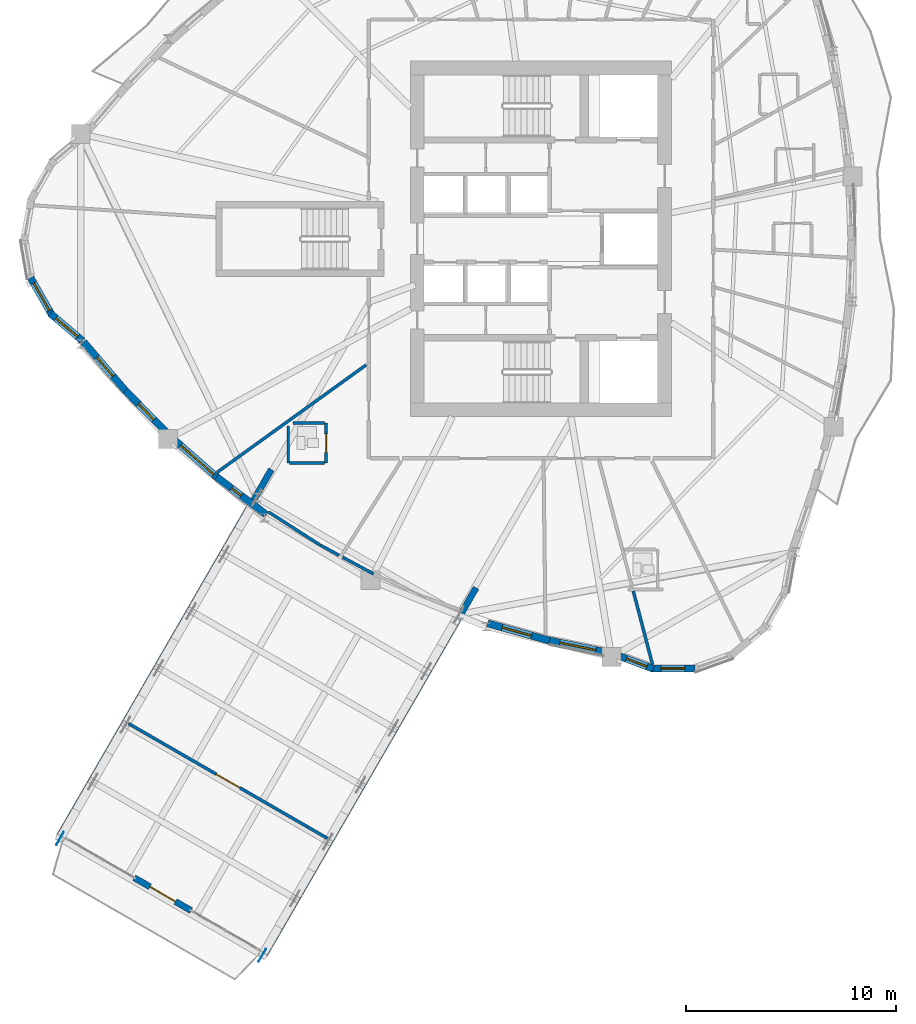
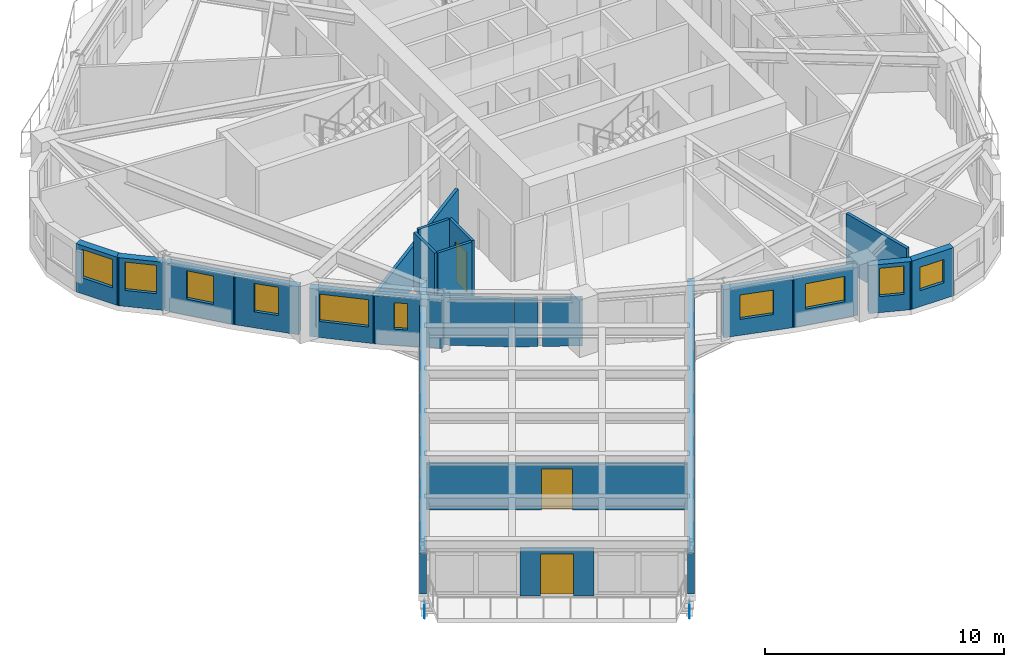
# One storey, part 5 of 17: 23 walls, 10 windows, 3 doors, 2 plates, 13 openings.
"""IFC4 building model written with IfcOpenShell, lengths in metres."""

from ifc_helpers import new_model, si_unit, direction, frame, frame_2d, origin, origin_2d, place, context, subcontext, project, spatial, rectangle, extrude, source, transform, mapped, material, layer, layer_set, type_object, element, fill, save


model = new_model("IFC4")

# Units and contexts
model_context = context("Model", 3, precision=1e-05, world=origin(), true_north=direction((0.0, 1.0)))
body_context = subcontext(model_context, "Body", "Model", "MODEL_VIEW")
ifc_project = project(units=[si_unit("LENGTHUNIT", "METRE"), si_unit("AREAUNIT", "SQUARE_METRE"), si_unit("VOLUMEUNIT", "CUBIC_METRE"), si_unit("PLANEANGLEUNIT", "RADIAN"), si_unit("MASSUNIT", "GRAM", prefix="KILO")], contexts=[model_context])

# Site, building, storey
site_placement = place(None, origin())
site = spatial("IfcSite", under=ifc_project, at=site_placement, CompositionType="ELEMENT")
building_placement = place(site_placement, origin())
building = spatial("IfcBuilding", under=site, at=building_placement, Name="Qafzar Sky-Pleat Residences", CompositionType="ELEMENT")
storey_placement = place(building_placement, frame((0.0, 0.0, 108.800048828125)))
storey = spatial("IfcBuildingStorey", under=building, at=storey_placement, Name="L32", CompositionType="ELEMENT", Elevation=108.800048828125)

# Plates
ifc_material_1 = material(Name="Steel S355", Category="steel")
ifc_layer_1 = layer(ifc_material_1, 0.030029296875)
ifc_layer_set_1 = layer_set([ifc_layer_1], Name="Steel S355")
plate_type = type_object("IfcPlateType", Name="PLT-NODE-SBN2", PredefinedType="SHEET", material=ifc_layer_set_1)
shared_shape_1 = source(origin(), body_context, "Body", "SweptSolid", [
    extrude(rectangle(XDim=0.699951171875, YDim=0.030029296875, at=origin_2d()), origin(), (0.0, 0.0, 1.0), 0.52001953125),
])
for number, where, z_axis, x_axis, name in (
    (1, (17.101318359375, -8.047607421875, -0.925048828125), (0.0, 0.0, 1.0), (-0.5, -0.866025403784, 0.0), "SB-3 Truss Node Plate L6"),
    (2, (7.48828125, -2.49755859375, -0.925048828125), (0.0, 0.0, 1.0), (-0.5, -0.866025403784, 0.0), "SB-3 Truss Node Plate R6"),
):
    element("IfcPlate", number, at=place(storey_placement, frame(where, z_axis=z_axis, x_axis=x_axis)), inside=storey, type_object=plate_type, Name=name, PredefinedType="SHEET", context=body_context, shape_type="MappedRepresentation", body=[
        mapped(shared_shape_1, transform((0.0, 0.0, 0.0), x_axis=(1.0, 0.0, 0.0), y_axis=(0.0, 1.0, 0.0), z_axis=(0.0, 0.0, 1.0), scale=1.0)),
    ])

# Wall, opening, door
ifc_material_2 = material(Name="Acoustic gypsum plasterboard partition", Category="gypsum")
ifc_layer_2 = layer(ifc_material_2, 0.14501953125)
ifc_layer_set_2 = layer_set([ifc_layer_2], Name="Acoustic gypsum plasterboard partition")
wall_type_1 = type_object("IfcWallType", Name="PART-UNIT-145", PredefinedType="PARTITIONING", material=ifc_layer_set_2)
wall_1_placement = place(storey_placement, frame((20.2060546875, -2.493896484375, 0.0), z_axis=(0.0, 0.0, 1.0), x_axis=(-0.866034115916, 0.499984909842, 0.0)))
wall_1 = element("IfcWall", 3, at=wall_1_placement, inside=storey, type_object=wall_type_1, Name="L32 Partition Wall PART-L32-PW-001", PredefinedType="PARTITIONING", context=body_context, shape_type="SweptSolid", body=[
    extrude(rectangle(XDim=10.924072265625, YDim=0.14501953125, at=frame_2d((5.4619140625, 0.0))), origin(), (0.0, 0.0, 1.0), 2.35302734375),
])
opening_1_placement = place(wall_1_placement, frame((4.812255859375, 0.0, 0.0)))
opening_1 = element("IfcOpeningElement", 4, at=opening_1_placement, cuts=wall_1, Name="Opening ID-05", PredefinedType="OPENING", context=body_context, shape_type="SweptSolid", body=[
    extrude(rectangle(XDim=1.300048828125, YDim=2.10009765625, at=frame_2d((0.64990234375, 1.050048828125))), frame((0.0, 0.08251953125, 0.0), z_axis=(0.0, -1.0, 0.0), x_axis=(1.0, 0.0, 0.0)), (0.0, 0.0, 1.0), 0.1650390625),
])
ifc_material_3 = material(Name="Timber-faced fire door", Category="wood")
door_type_1 = type_object("IfcDoorType", Name="DR-LNG-1300", OperationType="DOUBLE_DOOR_SINGLE_SWING", PredefinedType="DOOR", material=ifc_material_3)
shared_shape_2 = source(origin(), body_context, "Body", "SweptSolid", [
    extrude(rectangle(XDim=1.300048828125, YDim=2.10009765625, at=frame_2d((0.64990234375, 1.050048828125))), frame((0.0, 0.02490234375, 0.0), z_axis=(0.0, -1.0, 0.0), x_axis=(1.0, 0.0, 0.0)), (0.0, 0.0, 1.0), 0.050048828125),
])
door_1_placement = place(opening_1_placement, origin())
door_1 = element("IfcDoor", 5, at=door_1_placement, inside=storey, type_object=door_type_1, Name="L32 Panorama Sky Lounge Door", OperationType="DOUBLE_DOOR_SINGLE_SWING", OverallHeight=2.10009765625, OverallWidth=1.300048828125, PredefinedType="DOOR", context=body_context, shape_type="MappedRepresentation", body=[
    mapped(shared_shape_2, transform((0.0, 0.0, 0.0), x_axis=(1.0, 0.0, 0.0), y_axis=(0.0, 1.0, 0.0), z_axis=(0.0, 0.0, 1.0), scale=1.0)),
])
fill(opening_1, door_1)

# Walls
wall_2_placement = place(storey_placement, frame((14.96630859375, 14.915283203125, 0.0), z_axis=(0.0, 0.0, 1.0), x_axis=(0.811310715309, 0.584615192434, 0.0)))
element("IfcWall", 6, at=wall_2_placement, inside=storey, type_object=wall_type_1, Name="L32 Partition Wall PART-L32-PW-036", PredefinedType="PARTITIONING", context=body_context, shape_type="SweptSolid", body=[
    extrude(rectangle(XDim=8.72021484375, YDim=0.14501953125, at=frame_2d((4.360107421875, 0.0))), origin(), (0.0, 0.0, 1.0), 2.10302734375),
])
wall_3_placement = place(storey_placement, frame((34.73681640625, 9.263916015625, 0.0), z_axis=(0.0, 0.0, 1.0), x_axis=(0.253650405993, -0.967295958608, 0.0)))
element("IfcWall", 7, at=wall_3_placement, inside=storey, type_object=wall_type_1, Name="L32 Partition Wall PART-L32-PW-046", PredefinedType="PARTITIONING", context=body_context, shape_type="SweptSolid", body=[
    extrude(rectangle(XDim=3.607421875, YDim=0.14501953125, at=frame_2d((1.8037109375, 0.0))), origin(), (0.0, 0.0, 1.0), 2.93505859375),
])
wall_4_placement = place(storey_placement, frame((17.39794921875, 13.02392578125, 0.0), z_axis=(0.0, 0.0, 1.0), x_axis=(0.841590343852, -0.540116369994, 0.0)))
element("IfcWall", 8, at=wall_4_placement, inside=storey, type_object=wall_type_1, Name="L32 Partition Wall PART-L32-PW-052", PredefinedType="PARTITIONING", context=body_context, shape_type="SweptSolid", body=[
    extrude(rectangle(XDim=2.906494140625, YDim=0.14501953125, at=frame_2d((1.453125, 0.0))), origin(), (0.0, 0.0, 1.0), 2.452880859375),
])
wall_5_placement = place(storey_placement, frame((20.92041015625, 10.873291015625, 0.0), z_axis=(0.0, 0.0, 1.0), x_axis=(0.879929881444, -0.475103571595, 0.0)))
element("IfcWall", 9, at=wall_5_placement, inside=storey, type_object=wall_type_1, Name="L32 Partition Wall PART-L32-PW-064", PredefinedType="PARTITIONING", context=body_context, shape_type="SweptSolid", body=[
    extrude(rectangle(XDim=1.66748046875, YDim=0.14501953125, at=frame_2d((0.833740234375, 0.0))), origin(), (0.0, 0.0, 1.0), 2.452880859375),
])
wall_6_placement = place(storey_placement, frame((19.857177734375, 11.447021484375, 0.0), z_axis=(0.0, 0.0, 1.0), x_axis=(0.8800411893, -0.474897362738, 0.0)))
element("IfcWall", 10, at=wall_6_placement, inside=storey, type_object=wall_type_1, Name="L32 Partition Wall PART-L32-PW-086", PredefinedType="PARTITIONING", context=body_context, shape_type="SweptSolid", body=[
    extrude(rectangle(XDim=1.02197265625, YDim=0.14501953125, at=frame_2d((0.510986328125, 0.0))), origin(), (0.0, 0.0, 1.0), 2.452880859375),
])

# Wall, opening, door
ifc_material_4 = material(Name="Moisture-resistant gypsum partition", Category="gypsum")
ifc_layer_3 = layer(ifc_material_4, 0.1298828125)
ifc_layer_set_3 = layer_set([ifc_layer_3], Name="Moisture-resistant gypsum partition")
wall_type_2 = type_object("IfcWallType", Name="PART-WET-130", PredefinedType="PARTITIONING", material=ifc_layer_set_3)
wall_7_placement = place(storey_placement, frame((20.133056640625, 15.35107421875, 0.0), z_axis=(0.0, 0.0, 1.0), x_axis=(0.0, 1.0, 0.0)))
wall_7 = element("IfcWall", 11, at=wall_7_placement, inside=storey, type_object=wall_type_2, Name="L32 Partition Wall PART-L32-PW-020", PredefinedType="PARTITIONING", context=body_context, shape_type="SweptSolid", body=[
    extrude(rectangle(XDim=1.89990234375, YDim=0.1298828125, at=frame_2d((0.949951171875, 0.0))), origin(), (0.0, 0.0, 1.0), 2.93505859375),
])
opening_2_placement = place(wall_7_placement, frame((0.510009765625, 0.0, 0.0)))
opening_2 = element("IfcOpeningElement", 12, at=opening_2_placement, cuts=wall_7, Name="Opening ID-07", PredefinedType="OPENING", context=body_context, shape_type="SweptSolid", body=[
    extrude(rectangle(XDim=0.8798828125, YDim=2.050048828125, at=frame_2d((0.43994140625, 1.02490234375))), frame((0.0, 0.074951171875, 0.0), z_axis=(0.0, -1.0, 0.0), x_axis=(1.0, 0.0, 0.0)), (0.0, 0.0, 1.0), 0.14990234375),
])
door_type_2 = type_object("IfcDoorType", Name="DR-WET-880", OperationType="NOTDEFINED", PredefinedType="DOOR", material=ifc_material_3)
shared_shape_3 = source(origin(), body_context, "Body", "SweptSolid", [
    extrude(rectangle(XDim=0.8798828125, YDim=2.050048828125, at=frame_2d((0.43994140625, 1.02490234375))), frame((0.0, 0.02490234375, 0.0), z_axis=(0.0, -1.0, 0.0), x_axis=(1.0, 0.0, 0.0)), (0.0, 0.0, 1.0), 0.050048828125),
])
door_2_placement = place(opening_2_placement, origin())
door_2 = element("IfcDoor", 13, at=door_2_placement, inside=storey, type_object=door_type_2, Name="L32 En-suite Bathroom 7 Door", OperationType="SINGLE_SWING_LEFT", OverallHeight=2.050048828125, OverallWidth=0.8798828125, PredefinedType="DOOR", context=body_context, shape_type="MappedRepresentation", body=[
    mapped(shared_shape_3, transform((0.0, 0.0, 0.0), x_axis=(1.0, 0.0, 0.0), y_axis=(0.0, 1.0, 0.0), z_axis=(0.0, 0.0, 1.0), scale=1.0)),
])
fill(opening_2, door_2)

# Walls
wall_8_placement = place(storey_placement, frame((18.3330078125, 15.35107421875, 0.0), z_axis=(0.0, 0.0, 1.0), x_axis=(0.0, 1.0, 0.0)))
element("IfcWall", 14, at=wall_8_placement, inside=storey, type_object=wall_type_2, Name="L32 Partition Wall PART-L32-PW-056", PredefinedType="PARTITIONING", context=body_context, shape_type="SweptSolid", body=[
    extrude(rectangle(XDim=1.755615234375, YDim=0.1298828125, at=frame_2d((0.8779296875, 0.0))), origin(), (0.0, 0.0, 1.0), 2.93505859375),
])
wall_9_placement = place(storey_placement, frame((18.55517578125, 17.2509765625, 0.0), z_axis=(0.0, 0.0, 1.0), x_axis=(1.0, 0.0, 0.0)))
element("IfcWall", 15, at=wall_9_placement, inside=storey, type_object=wall_type_2, Name="L32 Partition Wall PART-L32-PW-059", PredefinedType="PARTITIONING", context=body_context, shape_type="SweptSolid", body=[
    extrude(rectangle(XDim=1.5048828125, YDim=0.1298828125, at=frame_2d((0.75244140625, 0.0))), origin(), (0.0, 0.0, 1.0), 2.93505859375),
])
wall_10_placement = place(storey_placement, frame((18.406005859375, 15.35107421875, 0.0), z_axis=(0.0, 0.0, 1.0), x_axis=(1.0, 0.0, 0.0)))
element("IfcWall", 16, at=wall_10_placement, inside=storey, type_object=wall_type_2, Name="L32 Partition Wall PART-L32-PW-060", PredefinedType="PARTITIONING", context=body_context, shape_type="SweptSolid", body=[
    extrude(rectangle(XDim=1.654052734375, YDim=0.1298828125, at=frame_2d((0.8271484375, 0.0))), origin(), (0.0, 0.0, 1.0), 2.93505859375),
])
ifc_material_5 = material(Name="Precast concrete C40/50 with honed Riyadh limestone", Category="concrete")
ifc_layer_4 = layer(ifc_material_5, 0.300048828125)
ifc_layer_set_4 = layer_set([ifc_layer_4], Name="Precast concrete C40/50 with honed Riyadh limestone")
wall_type_3 = type_object("IfcWallType", Name="WALL-EXT-300", PredefinedType="SOLIDWALL", material=ifc_layer_set_4)
wall_11_placement = place(storey_placement, frame((27.26708984375, 9.420166015625, 0.0), z_axis=(0.0, 0.0, 1.0), x_axis=(-0.500001212782, -0.866024703583, 0.0)))
element("IfcWall", 17, at=wall_11_placement, inside=storey, type_object=wall_type_3, Name="L32 SB-3 Side Spandrel Wall L", PredefinedType="SOLIDWALL", context=body_context, shape_type="SweptSolid", body=[
    extrude(rectangle(XDim=20.09033203125, YDim=0.300048828125, at=frame_2d((10.045166015625, 0.0))), origin(), (0.0, 0.0, 1.0), 2.114990234375),
])
wall_12_placement = place(storey_placement, frame((17.532958984375, 15.040283203125, 0.0), z_axis=(0.0, 0.0, 1.0), x_axis=(-0.499995950774, -0.866027741594, 0.0)))
element("IfcWall", 18, at=wall_12_placement, inside=storey, type_object=wall_type_3, Name="L32 SB-3 Side Spandrel Wall R", PredefinedType="SOLIDWALL", context=body_context, shape_type="SweptSolid", body=[
    extrude(rectangle(XDim=20.090576171875, YDim=0.300048828125, at=frame_2d((10.04541015625, 0.0))), origin(), (0.0, 0.0, 1.0), 2.114990234375),
])

# Wall, opening, door
wall_13_placement = place(storey_placement, frame((13.720703125, -5.922607421875, 0.0), z_axis=(0.0, 0.0, 1.0), x_axis=(-0.866009661879, 0.500027264788, 0.0)))
wall_13 = element("IfcWall", 19, at=wall_13_placement, inside=storey, type_object=wall_type_3, Name="L32 SB-3 Prow Portal Wall", PredefinedType="SOLIDWALL", context=body_context, shape_type="SweptSolid", body=[
    extrude(rectangle(XDim=3.119873046875, YDim=0.300048828125, at=frame_2d((1.56005859375, 0.0))), origin(), (0.0, 0.0, 1.0), 2.300048828125),
])
opening_3_placement = place(wall_13_placement, frame((0.860107421875, 0.0, 0.0)))
opening_3 = element("IfcOpeningElement", 20, at=opening_3_placement, cuts=wall_13, Name="Opening ED-07", PredefinedType="OPENING", context=body_context, shape_type="SweptSolid", body=[
    extrude(rectangle(XDim=1.39990234375, YDim=2.14990234375, at=frame_2d((0.699951171875, 1.074951171875))), frame((0.0, 0.16015625, 0.0), z_axis=(0.0, -1.0, 0.0), x_axis=(1.0, 0.0, 0.0)), (0.0, 0.0, 1.0), 0.320068359375),
])
ifc_material_6 = material(Name="Glazed bronze aluminium door", Category="aluminium")
door_type_3 = type_object("IfcDoorType", Name="DR-SB-1400", OperationType="DOUBLE_DOOR_SINGLE_SWING", PredefinedType="DOOR", material=ifc_material_6)
shared_shape_4 = source(origin(), body_context, "Body", "SweptSolid", [
    extrude(rectangle(XDim=1.39990234375, YDim=2.14990234375, at=frame_2d((0.699951171875, 1.074951171875))), frame((0.0, 0.02490234375, 0.0), z_axis=(0.0, -1.0, 0.0), x_axis=(1.0, 0.0, 0.0)), (0.0, 0.0, 1.0), 0.050048828125),
])
door_3_placement = place(opening_3_placement, origin())
door_3 = element("IfcDoor", 21, at=door_3_placement, inside=storey, type_object=door_type_3, Name="L32 SB-3 Tip Balcony Glazed Door", OperationType="DOUBLE_DOOR_SINGLE_SWING", OverallHeight=2.14990234375, OverallWidth=1.39990234375, PredefinedType="DOOR", context=body_context, shape_type="MappedRepresentation", body=[
    mapped(shared_shape_4, transform((0.0, 0.0, 0.0), x_axis=(1.0, 0.0, 0.0), y_axis=(0.0, 1.0, 0.0), z_axis=(0.0, 0.0, 1.0), scale=1.0)),
])
fill(opening_3, door_3)

# Wall, opening, window
ifc_layer_5 = layer(ifc_material_5, 0.340087890625)
ifc_layer_set_5 = layer_set([ifc_layer_5], Name="Precast concrete C40/50 with honed Riyadh limestone")
wall_type_4 = type_object("IfcWallType", Name="WALL-EXT-340", PredefinedType="SOLIDWALL", material=ifc_layer_set_5)
wall_14_placement = place(storey_placement, frame((6.09228515625, 24.150146484375, 0.0), z_axis=(0.0, 0.0, 1.0), x_axis=(0.496037473582, -0.868301114132, 0.0)))
wall_14 = element("IfcWall", 22, at=wall_14_placement, inside=storey, type_object=wall_type_4, Name="L32 Limestone Facade Wall 5", PredefinedType="SOLIDWALL", context=body_context, shape_type="SweptSolid", body=[
    extrude(rectangle(XDim=2.072998046875, YDim=0.340087890625, at=frame_2d((1.03662109375, 0.0))), origin(), (0.0, 0.0, 1.0), 2.46484375),
])
opening_4_placement = place(wall_14_placement, frame((0.28662109375, 0.0, 0.820068359375)))
opening_4 = element("IfcOpeningElement", 23, at=opening_4_placement, cuts=wall_14, Name="Opening WN-03", PredefinedType="OPENING", context=body_context, shape_type="SweptSolid", body=[
    extrude(rectangle(XDim=1.5, YDim=1.449951171875, at=frame_2d((0.75, 0.72509765625))), frame((0.0, 0.18017578125, 0.0), z_axis=(0.0, -1.0, 0.0), x_axis=(1.0, 0.0, 0.0)), (0.0, 0.0, 1.0), 0.360107421875),
])
ifc_material_7 = material(Name="Solar-control low-E glass in bronze aluminium frame", Category="glass")
window_type_1 = type_object("IfcWindowType", Name="WIN-03", PartitioningType="DOUBLE_PANEL_VERTICAL", PredefinedType="WINDOW", material=ifc_material_7)
shared_shape_5 = source(origin(), body_context, "Body", "SweptSolid", [
    extrude(rectangle(XDim=1.5, YDim=1.449951171875, at=frame_2d((0.75, 0.72509765625))), frame((0.0, 0.030029296875, 0.0), z_axis=(0.0, -1.0, 0.0), x_axis=(1.0, 0.0, 0.0)), (0.0, 0.0, 1.0), 0.06005859375),
])
window_1_placement = place(opening_4_placement, origin())
window_1 = element("IfcWindow", 24, at=window_1_placement, inside=storey, type_object=window_type_1, Name="L32 Punched Facade Window 05", OverallHeight=1.449951171875, OverallWidth=1.5, PartitioningType="SINGLE_PANEL", PredefinedType="WINDOW", context=body_context, shape_type="MappedRepresentation", body=[
    mapped(shared_shape_5, transform((0.0, 0.0, 0.0), x_axis=(1.0, 0.0, 0.0), y_axis=(0.0, 1.0, 0.0), z_axis=(0.0, 0.0, 1.0), scale=1.0)),
])
fill(opening_4, window_1)

wall_15_placement = place(storey_placement, frame((7.035400390625, 22.452880859375, 0.0), z_axis=(0.0, 0.0, 1.0), x_axis=(0.76114353683, -0.648583469063, 0.0)))
wall_15 = element("IfcWall", 25, at=wall_15_placement, inside=storey, type_object=wall_type_4, Name="L32 Limestone Facade Wall 6", PredefinedType="SOLIDWALL", context=body_context, shape_type="SweptSolid", body=[
    extrude(rectangle(XDim=2.014892578125, YDim=0.340087890625, at=frame_2d((1.00732421875, 0.0))), origin(), (0.0, 0.0, 1.0), 2.46484375),
])
opening_5_placement = place(wall_15_placement, frame((0.342529296875, 0.0, 0.820068359375)))
opening_5 = element("IfcOpeningElement", 26, at=opening_5_placement, cuts=wall_15, Name="Opening WN-04", PredefinedType="OPENING", context=body_context, shape_type="SweptSolid", body=[
    extrude(rectangle(XDim=1.35009765625, YDim=1.449951171875, at=frame_2d((0.675048828125, 0.72509765625))), frame((0.0, 0.18017578125, 0.0), z_axis=(0.0, -1.0, 0.0), x_axis=(1.0, 0.0, 0.0)), (0.0, 0.0, 1.0), 0.360107421875),
])
window_type_2 = type_object("IfcWindowType", Name="WIN-04", PartitioningType="SINGLE_PANEL", PredefinedType="WINDOW", material=ifc_material_7)
shared_shape_6 = source(origin(), body_context, "Body", "SweptSolid", [
    extrude(rectangle(XDim=1.35009765625, YDim=1.449951171875, at=frame_2d((0.675048828125, 0.72509765625))), frame((0.0, 0.030029296875, 0.0), z_axis=(0.0, -1.0, 0.0), x_axis=(1.0, 0.0, 0.0)), (0.0, 0.0, 1.0), 0.06005859375),
])
window_2_placement = place(opening_5_placement, origin())
window_2 = element("IfcWindow", 27, at=window_2_placement, inside=storey, type_object=window_type_2, Name="L32 Punched Facade Window 06", OverallHeight=1.449951171875, OverallWidth=1.35009765625, PartitioningType="SINGLE_PANEL", PredefinedType="WINDOW", context=body_context, shape_type="MappedRepresentation", body=[
    mapped(shared_shape_6, transform((0.0, 0.0, 0.0), x_axis=(1.0, 0.0, 0.0), y_axis=(0.0, 1.0, 0.0), z_axis=(0.0, 0.0, 1.0), scale=1.0)),
])
fill(opening_5, window_2)

wall_16_placement = place(storey_placement, frame((8.6162109375, 21.09912109375, 0.0), z_axis=(0.0, 0.0, 1.0), x_axis=(0.650713874475, -0.759323023203, 0.0)))
wall_16 = element("IfcWall", 28, at=wall_16_placement, inside=storey, type_object=wall_type_4, Name="L32 Limestone Facade Wall 7", PredefinedType="SOLIDWALL", context=body_context, shape_type="SweptSolid", body=[
    extrude(rectangle(XDim=3.11328125, YDim=0.340087890625, at=frame_2d((1.556640625, 0.0))), origin(), (0.0, 0.0, 1.0), 2.46484375),
])
opening_6_placement = place(wall_16_placement, frame((0.94677734375, 0.0, 0.820068359375)))
opening_6 = element("IfcOpeningElement", 29, at=opening_6_placement, cuts=wall_16, Name="Opening WN-05", PredefinedType="OPENING", context=body_context, shape_type="SweptSolid", body=[
    extrude(rectangle(XDim=1.199951171875, YDim=1.449951171875, at=frame_2d((0.60009765625, 0.72509765625))), frame((0.0, 0.18017578125, 0.0), z_axis=(0.0, -1.0, 0.0), x_axis=(1.0, 0.0, 0.0)), (0.0, 0.0, 1.0), 0.360107421875),
])
window_type_3 = type_object("IfcWindowType", Name="WIN-05", PartitioningType="SINGLE_PANEL", PredefinedType="WINDOW", material=ifc_material_7)
shared_shape_7 = source(origin(), body_context, "Body", "SweptSolid", [
    extrude(rectangle(XDim=1.199951171875, YDim=1.449951171875, at=frame_2d((0.60009765625, 0.72509765625))), frame((0.0, 0.030029296875, 0.0), z_axis=(0.0, -1.0, 0.0), x_axis=(1.0, 0.0, 0.0)), (0.0, 0.0, 1.0), 0.06005859375),
])
window_3_placement = place(opening_6_placement, origin())
window_3 = element("IfcWindow", 30, at=window_3_placement, inside=storey, type_object=window_type_3, Name="L32 Punched Facade Window 07", OverallHeight=1.449951171875, OverallWidth=1.199951171875, PartitioningType="SINGLE_PANEL", PredefinedType="WINDOW", context=body_context, shape_type="MappedRepresentation", body=[
    mapped(shared_shape_7, transform((0.0, 0.0, 0.0), x_axis=(1.0, 0.0, 0.0), y_axis=(0.0, 1.0, 0.0), z_axis=(0.0, 0.0, 1.0), scale=1.0)),
])
fill(opening_6, window_3)

wall_17_placement = place(storey_placement, frame((10.582763671875, 18.7998046875, 0.0), z_axis=(0.0, 0.0, 1.0), x_axis=(0.701884352283, -0.712290920917, 0.0)))
wall_17 = element("IfcWall", 31, at=wall_17_placement, inside=storey, type_object=wall_type_4, Name="L32 Limestone Facade Wall 8", PredefinedType="SOLIDWALL", context=body_context, shape_type="SweptSolid", body=[
    extrude(rectangle(XDim=2.838623046875, YDim=0.340087890625, at=frame_2d((1.41943359375, 0.0))), origin(), (0.0, 0.0, 1.0), 2.46484375),
])
opening_7_placement = place(wall_17_placement, frame((0.8994140625, 0.0, 0.820068359375)))
opening_7 = element("IfcOpeningElement", 32, at=opening_7_placement, cuts=wall_17, Name="Opening WN-06", PredefinedType="OPENING", context=body_context, shape_type="SweptSolid", body=[
    extrude(rectangle(XDim=1.050048828125, YDim=1.449951171875, at=frame_2d((0.52490234375, 0.72509765625))), frame((0.0, 0.18017578125, 0.0), z_axis=(0.0, -1.0, 0.0), x_axis=(1.0, 0.0, 0.0)), (0.0, 0.0, 1.0), 0.360107421875),
])
window_type_4 = type_object("IfcWindowType", Name="WIN-06", PartitioningType="SINGLE_PANEL", PredefinedType="WINDOW", material=ifc_material_7)
shared_shape_8 = source(origin(), body_context, "Body", "SweptSolid", [
    extrude(rectangle(XDim=1.050048828125, YDim=1.449951171875, at=frame_2d((0.52490234375, 0.72509765625))), frame((0.0, 0.030029296875, 0.0), z_axis=(0.0, -1.0, 0.0), x_axis=(1.0, 0.0, 0.0)), (0.0, 0.0, 1.0), 0.06005859375),
])
window_4_placement = place(opening_7_placement, origin())
window_4 = element("IfcWindow", 33, at=window_4_placement, inside=storey, type_object=window_type_4, Name="L32 Punched Facade Window 08", OverallHeight=1.449951171875, OverallWidth=1.050048828125, PartitioningType="SINGLE_PANEL", PredefinedType="WINDOW", context=body_context, shape_type="MappedRepresentation", body=[
    mapped(shared_shape_8, transform((0.0, 0.0, 0.0), x_axis=(1.0, 0.0, 0.0), y_axis=(0.0, 1.0, 0.0), z_axis=(0.0, 0.0, 1.0), scale=1.0)),
])
fill(opening_7, window_4)

wall_18_placement = place(storey_placement, frame((12.900634765625, 16.470703125, 0.0), z_axis=(0.0, 0.0, 1.0), x_axis=(0.751480442913, -0.659755366722, 0.0)))
wall_18 = element("IfcWall", 34, at=wall_18_placement, inside=storey, type_object=wall_type_4, Name="L32 Limestone Facade Wall 9", PredefinedType="SOLIDWALL", context=body_context, shape_type="SweptSolid", body=[
    extrude(rectangle(XDim=2.789306640625, YDim=0.340087890625, at=frame_2d((1.39453125, 0.0))), origin(), (0.0, 0.0, 1.0), 2.46484375),
])
opening_8_placement = place(wall_18_placement, frame((0.43017578125, 0.0, 0.820068359375)))
opening_8 = element("IfcOpeningElement", 35, at=opening_8_placement, cuts=wall_18, Name="Opening WN-07", PredefinedType="OPENING", context=body_context, shape_type="SweptSolid", body=[
    extrude(rectangle(XDim=2.10009765625, YDim=1.39990234375, at=frame_2d((1.050048828125, 0.699951171875))), frame((0.0, 0.18017578125, 0.0), z_axis=(0.0, -1.0, 0.0), x_axis=(1.0, 0.0, 0.0)), (0.0, 0.0, 1.0), 0.360107421875),
])
window_type_5 = type_object("IfcWindowType", Name="WIN-07", PartitioningType="DOUBLE_PANEL_VERTICAL", PredefinedType="WINDOW", material=ifc_material_7)
shared_shape_9 = source(origin(), body_context, "Body", "SweptSolid", [
    extrude(rectangle(XDim=2.10009765625, YDim=1.39990234375, at=frame_2d((1.050048828125, 0.699951171875))), frame((0.0, 0.030029296875, 0.0), z_axis=(0.0, -1.0, 0.0), x_axis=(1.0, 0.0, 0.0)), (0.0, 0.0, 1.0), 0.06005859375),
])
window_5_placement = place(opening_8_placement, origin())
window_5 = element("IfcWindow", 36, at=window_5_placement, inside=storey, type_object=window_type_5, Name="L32 Punched Facade Window 09", OverallHeight=1.39990234375, OverallWidth=2.10009765625, PartitioningType="SINGLE_PANEL", PredefinedType="WINDOW", context=body_context, shape_type="MappedRepresentation", body=[
    mapped(shared_shape_9, transform((0.0, 0.0, 0.0), x_axis=(1.0, 0.0, 0.0), y_axis=(0.0, 1.0, 0.0), z_axis=(0.0, 0.0, 1.0), scale=1.0)),
])
fill(opening_8, window_5)

wall_19_placement = place(storey_placement, frame((14.927978515625, 14.686279296875, 0.0), z_axis=(0.0, 0.0, 1.0), x_axis=(0.798387010211, -0.602144651995, 0.0)))
wall_19 = element("IfcWall", 37, at=wall_19_placement, inside=storey, type_object=wall_type_4, Name="L32 Limestone Facade Wall 10", PredefinedType="SOLIDWALL", context=body_context, shape_type="SweptSolid", body=[
    extrude(rectangle(XDim=2.9658203125, YDim=0.340087890625, at=frame_2d((1.48291015625, 0.0))), origin(), (0.0, 0.0, 1.0), 2.46484375),
])
opening_9_placement = place(wall_19_placement, frame((0.890869140625, 0.0, 0.820068359375)))
opening_9 = element("IfcOpeningElement", 38, at=opening_9_placement, cuts=wall_19, Name="Opening WN-17", PredefinedType="OPENING", context=body_context, shape_type="SweptSolid", body=[
    extrude(rectangle(XDim=0.580078125, YDim=1.35009765625, at=frame_2d((0.2900390625, 0.675048828125))), frame((0.0, 0.18017578125, 0.0), z_axis=(0.0, -1.0, 0.0), x_axis=(1.0, 0.0, 0.0)), (0.0, 0.0, 1.0), 0.360107421875),
])
window_type_6 = type_object("IfcWindowType", Name="WIN-17", PartitioningType="SINGLE_PANEL", PredefinedType="WINDOW", material=ifc_material_7)
shared_shape_10 = source(origin(), body_context, "Body", "SweptSolid", [
    extrude(rectangle(XDim=0.580078125, YDim=1.35009765625, at=frame_2d((0.2900390625, 0.675048828125))), frame((0.0, 0.030029296875, 0.0), z_axis=(0.0, -1.0, 0.0), x_axis=(1.0, 0.0, 0.0)), (0.0, 0.0, 1.0), 0.06005859375),
])
window_6_placement = place(opening_9_placement, origin())
window_6 = element("IfcWindow", 39, at=window_6_placement, inside=storey, type_object=window_type_6, Name="L32 Bedroom Casement Window BD-1", OverallHeight=1.35009765625, OverallWidth=0.580078125, PartitioningType="SINGLE_PANEL", PredefinedType="WINDOW", context=body_context, shape_type="MappedRepresentation", body=[
    mapped(shared_shape_10, transform((0.0, 0.0, 0.0), x_axis=(1.0, 0.0, 0.0), y_axis=(0.0, 1.0, 0.0), z_axis=(0.0, 0.0, 1.0), scale=1.0)),
])
fill(opening_9, window_6)

wall_20_placement = place(storey_placement, frame((27.81884765625, 7.727783203125, 0.0), z_axis=(0.0, 0.0, 1.0), x_axis=(0.963032186905, -0.269386352632, 0.0)))
wall_20 = element("IfcWall", 40, at=wall_20_placement, inside=storey, type_object=wall_type_4, Name="L32 Limestone Facade Wall 15", PredefinedType="SOLIDWALL", context=body_context, shape_type="SweptSolid", body=[
    extrude(rectangle(XDim=3.048828125, YDim=0.340087890625, at=frame_2d((1.5244140625, 0.0))), origin(), (0.0, 0.0, 1.0), 2.46484375),
])
opening_10_placement = place(wall_20_placement, frame((0.71044921875, 0.0, 0.820068359375)))
opening_10 = element("IfcOpeningElement", 41, at=opening_10_placement, cuts=wall_20, Name="Opening WN-15", PredefinedType="OPENING", context=body_context, shape_type="SweptSolid", body=[
    extrude(rectangle(XDim=1.449951171875, YDim=1.25, at=frame_2d((0.72509765625, 0.625))), frame((0.0, 0.18017578125, 0.0), z_axis=(0.0, -1.0, 0.0), x_axis=(1.0, 0.0, 0.0)), (0.0, 0.0, 1.0), 0.360107421875),
])
window_type_7 = type_object("IfcWindowType", Name="WIN-15", PartitioningType="SINGLE_PANEL", PredefinedType="WINDOW", material=ifc_material_7)
shared_shape_11 = source(origin(), body_context, "Body", "SweptSolid", [
    extrude(rectangle(XDim=1.449951171875, YDim=1.25, at=frame_2d((0.72509765625, 0.625))), frame((0.0, 0.030029296875, 0.0), z_axis=(0.0, -1.0, 0.0), x_axis=(1.0, 0.0, 0.0)), (0.0, 0.0, 1.0), 0.06005859375),
])
window_7_placement = place(opening_10_placement, origin())
window_7 = element("IfcWindow", 42, at=window_7_placement, inside=storey, type_object=window_type_7, Name="L32 Punched Facade Window 15", OverallHeight=1.25, OverallWidth=1.449951171875, PartitioningType="SINGLE_PANEL", PredefinedType="WINDOW", context=body_context, shape_type="MappedRepresentation", body=[
    mapped(shared_shape_11, transform((0.0, 0.0, 0.0), x_axis=(1.0, 0.0, 0.0), y_axis=(0.0, 1.0, 0.0), z_axis=(0.0, 0.0, 1.0), scale=1.0)),
])
fill(opening_10, window_7)

wall_21_placement = place(storey_placement, frame((30.669677734375, 6.92724609375, 0.0), z_axis=(0.0, 0.0, 1.0), x_axis=(0.979422345081, -0.201821381317, 0.0)))
wall_21 = element("IfcWall", 43, at=wall_21_placement, inside=storey, type_object=wall_type_4, Name="L32 Limestone Facade Wall 16", PredefinedType="SOLIDWALL", context=body_context, shape_type="SweptSolid", body=[
    extrude(rectangle(XDim=2.9033203125, YDim=0.340087890625, at=frame_2d((1.45166015625, 0.0))), origin(), (0.0, 0.0, 1.0), 2.46484375),
])
opening_11_placement = place(wall_21_placement, frame((0.581787109375, 0.0, 0.820068359375)))
opening_11 = element("IfcOpeningElement", 44, at=opening_11_placement, cuts=wall_21, Name="Opening WN-14", PredefinedType="OPENING", context=body_context, shape_type="SweptSolid", body=[
    extrude(rectangle(XDim=1.75, YDim=1.300048828125, at=frame_2d((0.875, 0.64990234375))), frame((0.0, 0.18017578125, 0.0), z_axis=(0.0, -1.0, 0.0), x_axis=(1.0, 0.0, 0.0)), (0.0, 0.0, 1.0), 0.360107421875),
])
window_type_8 = type_object("IfcWindowType", Name="WIN-14", PartitioningType="DOUBLE_PANEL_VERTICAL", PredefinedType="WINDOW", material=ifc_material_7)
shared_shape_12 = source(origin(), body_context, "Body", "SweptSolid", [
    extrude(rectangle(XDim=1.75, YDim=1.300048828125, at=frame_2d((0.875, 0.64990234375))), frame((0.0, 0.030029296875, 0.0), z_axis=(0.0, -1.0, 0.0), x_axis=(1.0, 0.0, 0.0)), (0.0, 0.0, 1.0), 0.06005859375),
])
window_8_placement = place(opening_11_placement, origin())
window_8 = element("IfcWindow", 45, at=window_8_placement, inside=storey, type_object=window_type_8, Name="L32 Punched Facade Window 16", OverallHeight=1.300048828125, OverallWidth=1.75, PartitioningType="SINGLE_PANEL", PredefinedType="WINDOW", context=body_context, shape_type="MappedRepresentation", body=[
    mapped(shared_shape_12, transform((0.0, 0.0, 0.0), x_axis=(1.0, 0.0, 0.0), y_axis=(0.0, 1.0, 0.0), z_axis=(0.0, 0.0, 1.0), scale=1.0)),
])
fill(opening_11, window_8)

wall_22_placement = place(storey_placement, frame((33.979248046875, 6.20703125, 0.0), z_axis=(0.0, 0.0, 1.0), x_axis=(0.936799566991, -0.349866504951, 0.0)))
wall_22 = element("IfcWall", 46, at=wall_22_placement, inside=storey, type_object=wall_type_4, Name="L32 Limestone Facade Wall 17", PredefinedType="SOLIDWALL", context=body_context, shape_type="SweptSolid", body=[
    extrude(rectangle(XDim=1.8310546875, YDim=0.340087890625, at=frame_2d((0.91552734375, 0.0))), origin(), (0.0, 0.0, 1.0), 2.46484375),
])
opening_12_placement = place(wall_22_placement, frame((0.4560546875, 0.0, 0.820068359375)))
opening_12 = element("IfcOpeningElement", 47, at=opening_12_placement, cuts=wall_22, Name="Opening WN-06", PredefinedType="OPENING", context=body_context, shape_type="SweptSolid", body=[
    extrude(rectangle(XDim=1.050048828125, YDim=1.449951171875, at=frame_2d((0.52490234375, 0.72509765625))), frame((0.0, 0.18017578125, 0.0), z_axis=(0.0, -1.0, 0.0), x_axis=(1.0, 0.0, 0.0)), (0.0, 0.0, 1.0), 0.360107421875),
])
window_9_placement = place(opening_12_placement, origin())
window_9 = element("IfcWindow", 48, at=window_9_placement, inside=storey, type_object=window_type_4, Name="L32 Punched Facade Window 17", OverallHeight=1.449951171875, OverallWidth=1.050048828125, PartitioningType="SINGLE_PANEL", PredefinedType="WINDOW", context=body_context, shape_type="MappedRepresentation", body=[
    mapped(shared_shape_8, transform((0.0, 0.0, 0.0), x_axis=(1.0, 0.0, 0.0), y_axis=(0.0, 1.0, 0.0), z_axis=(0.0, 0.0, 1.0), scale=1.0)),
])
fill(opening_12, window_9)

wall_23_placement = place(storey_placement, frame((35.5625, 5.5908203125, 0.0), z_axis=(0.0, 0.0, 1.0), x_axis=(0.999976456891, -0.00686189939, 0.0)))
wall_23 = element("IfcWall", 49, at=wall_23_placement, inside=storey, type_object=wall_type_4, Name="L32 Limestone Facade Wall 18", PredefinedType="SOLIDWALL", context=body_context, shape_type="SweptSolid", body=[
    extrude(rectangle(XDim=2.09912109375, YDim=0.340087890625, at=frame_2d((1.049560546875, 0.0))), origin(), (0.0, 0.0, 1.0), 2.46484375),
])
opening_13_placement = place(wall_23_placement, frame((0.481689453125, 0.0, 0.820068359375)))
opening_13 = element("IfcOpeningElement", 50, at=opening_13_placement, cuts=wall_23, Name="Opening WN-16", PredefinedType="OPENING", context=body_context, shape_type="SweptSolid", body=[
    extrude(rectangle(XDim=1.14990234375, YDim=1.199951171875, at=frame_2d((0.574951171875, 0.60009765625))), frame((0.0, 0.18017578125, 0.0), z_axis=(0.0, -1.0, 0.0), x_axis=(1.0, 0.0, 0.0)), (0.0, 0.0, 1.0), 0.360107421875),
])
window_type_9 = type_object("IfcWindowType", Name="WIN-16", PartitioningType="SINGLE_PANEL", PredefinedType="WINDOW", material=ifc_material_7)
shared_shape_13 = source(origin(), body_context, "Body", "SweptSolid", [
    extrude(rectangle(XDim=1.14990234375, YDim=1.199951171875, at=frame_2d((0.574951171875, 0.60009765625))), frame((0.0, 0.030029296875, 0.0), z_axis=(0.0, -1.0, 0.0), x_axis=(1.0, 0.0, 0.0)), (0.0, 0.0, 1.0), 0.06005859375),
])
window_10_placement = place(opening_13_placement, origin())
window_10 = element("IfcWindow", 51, at=window_10_placement, inside=storey, type_object=window_type_9, Name="L32 Punched Facade Window 18", OverallHeight=1.199951171875, OverallWidth=1.14990234375, PartitioningType="SINGLE_PANEL", PredefinedType="WINDOW", context=body_context, shape_type="MappedRepresentation", body=[
    mapped(shared_shape_13, transform((0.0, 0.0, 0.0), x_axis=(1.0, 0.0, 0.0), y_axis=(0.0, 1.0, 0.0), z_axis=(0.0, 0.0, 1.0), scale=1.0)),
])
fill(opening_13, window_10)

save(model, "model.ifc")
